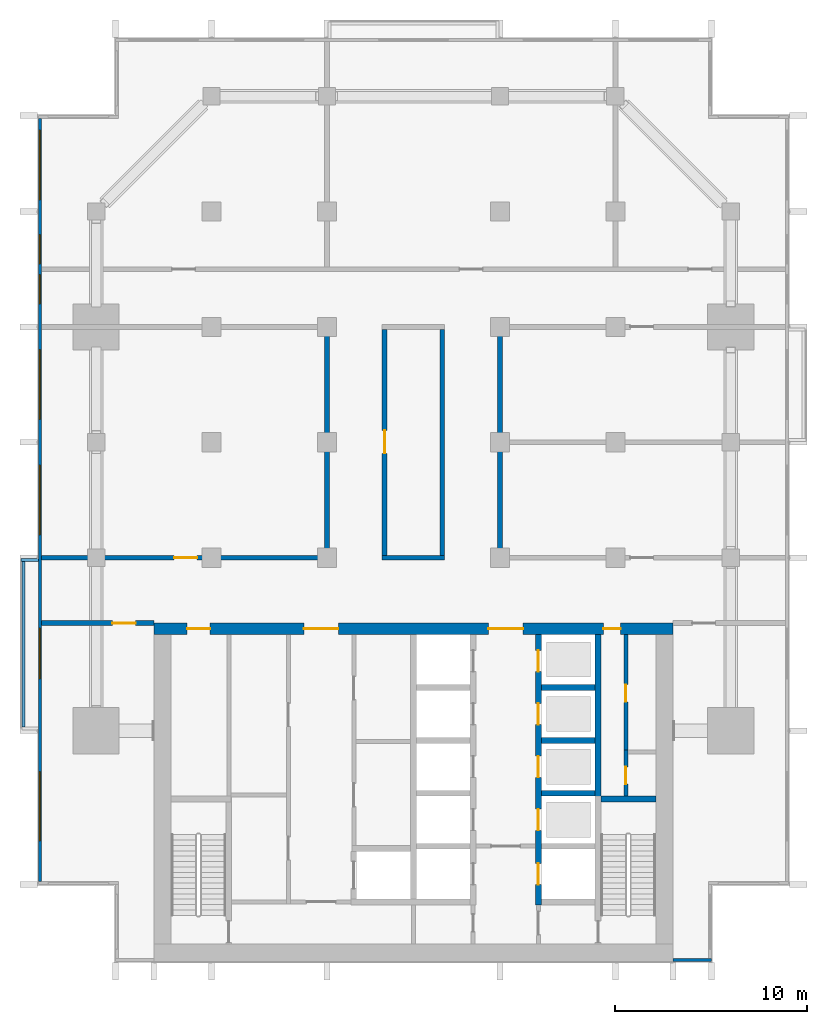
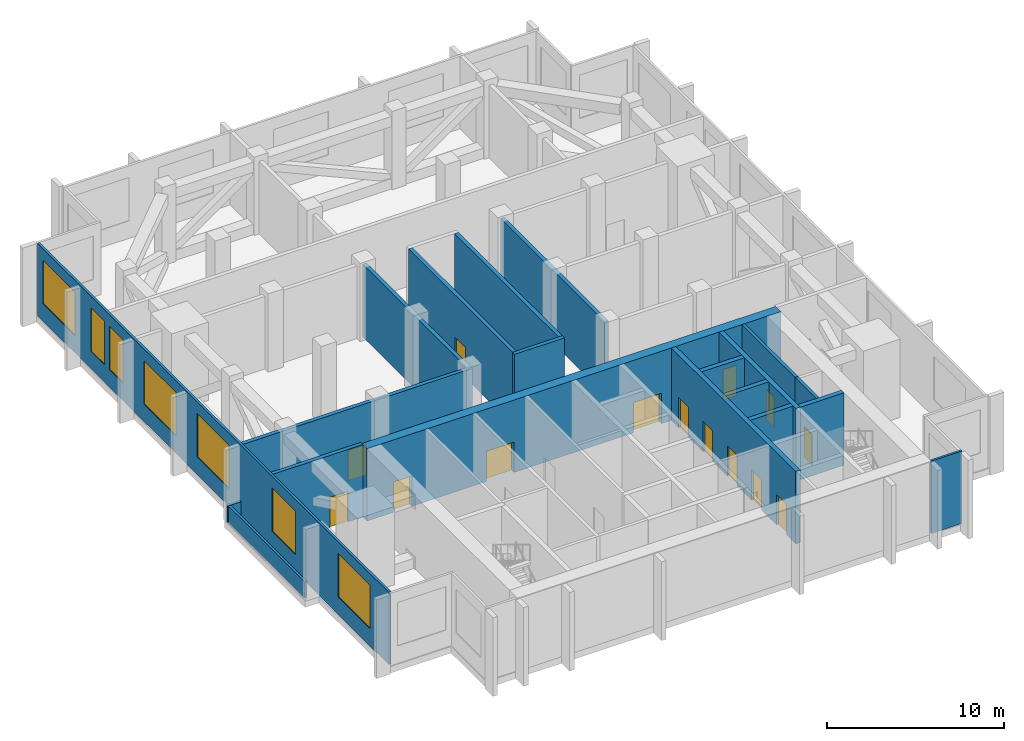
# One storey, part 3 of 11: 20 walls, 14 doors, 7 windows, 21 openings.
"""IFC4 building model written with IfcOpenShell, lengths in metres."""

from ifc_helpers import new_model, si_unit, direction, frame, frame_2d, origin, place, context, subcontext, project, spatial, rectangle, extrude, material, layer, layer_set, type_object, element, fill, save


model = new_model("IFC4")

# Units and contexts
model_context = context("Model", 3, precision=1e-05, world=origin(), true_north=direction((0.0, 1.0)))
body_context = subcontext(model_context, "Body", "Model", "MODEL_VIEW")
ifc_project = project(units=[si_unit("LENGTHUNIT", "METRE"), si_unit("AREAUNIT", "SQUARE_METRE"), si_unit("VOLUMEUNIT", "CUBIC_METRE"), si_unit("PLANEANGLEUNIT", "RADIAN"), si_unit("MASSUNIT", "GRAM", prefix="KILO")], contexts=[model_context])

# Site, building, storey
site_placement = place(None, origin())
site = spatial("IfcSite", under=ifc_project, at=site_placement, CompositionType="ELEMENT")
building_placement = place(site_placement, origin())
building = spatial("IfcBuilding", under=site, at=building_placement, Name="Finial Court Residences", CompositionType="ELEMENT")
storey_placement = place(building_placement, frame((0.0, 0.0, 199.699951171875)))
storey = spatial("IfcBuildingStorey", under=building, at=storey_placement, Name="L50", CompositionType="ELEMENT", Elevation=199.699951171875)

# Wall, openings, doors
ifc_material_1 = material(Name="Concrete C70/85", Category="concrete")
ifc_layer_1 = layer(ifc_material_1, 0.60009765625)
ifc_layer_set_1 = layer_set([ifc_layer_1], Name="Core outer wall 600 Concrete C70/85")
wall_type_1 = type_object("IfcWallType", Name="Core outer wall 600 Concrete C70/85", PredefinedType="SHEAR", material=ifc_layer_set_1)
wall_1_placement = place(storey_placement, frame((-13.5, -8.199951171875, 0.0), z_axis=(0.0, 0.0, 1.0), x_axis=(1.0, 0.0, 0.0)))
wall_1 = element("IfcWall", 1, at=wall_1_placement, inside=storey, type_object=wall_type_1, Name="Core outer wall L50-02", PredefinedType="SHEAR", context=body_context, shape_type="SweptSolid", body=[
    extrude(rectangle(XDim=27.0, YDim=0.60009765625, at=frame_2d((13.5, 0.0))), origin(), (0.0, 0.0, 1.0), 5.0),
])
opening_1_placement = place(wall_1_placement, frame((7.800048828125, 0.0, 0.0)))
opening_1 = element("IfcOpeningElement", 2, at=opening_1_placement, cuts=wall_1, Name="Opening L50-C04", PredefinedType="OPENING", context=body_context, shape_type="SweptSolid", body=[
    extrude(rectangle(XDim=1.800048828125, YDim=2.10009765625, at=frame_2d((0.89990234375, 1.050048828125))), frame((0.0, 0.31005859375, 0.0), z_axis=(0.0, -1.0, 0.0), x_axis=(1.0, 0.0, 0.0)), (0.0, 0.0, 1.0), 0.6201171875),
])
opening_2_placement = place(wall_1_placement, frame((17.39990234375, 0.0, 0.0)))
opening_2 = element("IfcOpeningElement", 3, at=opening_2_placement, cuts=wall_1, Name="Opening L50-C05", PredefinedType="OPENING", context=body_context, shape_type="SweptSolid", body=[
    extrude(rectangle(XDim=1.800048828125, YDim=2.10009765625, at=frame_2d((0.89990234375, 1.050048828125))), frame((0.0, 0.31005859375, 0.0), z_axis=(0.0, -1.0, 0.0), x_axis=(1.0, 0.0, 0.0)), (0.0, 0.0, 1.0), 0.6201171875),
])
opening_3_placement = place(wall_1_placement, frame((1.72509765625, 0.0, 0.0)))
opening_3 = element("IfcOpeningElement", 4, at=opening_3_placement, cuts=wall_1, Name="Opening L50-C12", PredefinedType="OPENING", context=body_context, shape_type="SweptSolid", body=[
    extrude(rectangle(XDim=1.199951171875, YDim=2.10009765625, at=frame_2d((0.60009765625, 1.050048828125))), frame((0.0, 0.31005859375, 0.0), z_axis=(0.0, -1.0, 0.0), x_axis=(1.0, 0.0, 0.0)), (0.0, 0.0, 1.0), 0.6201171875),
])
opening_4_placement = place(wall_1_placement, frame((23.375, 0.0, 0.0)))
opening_4 = element("IfcOpeningElement", 5, at=opening_4_placement, cuts=wall_1, Name="Opening L50-C13", PredefinedType="OPENING", context=body_context, shape_type="SweptSolid", body=[
    extrude(rectangle(XDim=0.89990234375, YDim=2.10009765625, at=frame_2d((0.449951171875, 1.050048828125))), frame((0.0, 0.31005859375, 0.0), z_axis=(0.0, -1.0, 0.0), x_axis=(1.0, 0.0, 0.0)), (0.0, 0.0, 1.0), 0.6201171875),
])
ifc_material_2 = material(Name="Steel fire door", Category="steel")
door_type_1 = type_object("IfcDoorType", Name="Lift lobby door 1800 x 2100 EI 60", OperationType="DOUBLE_DOOR_SINGLE_SWING", PredefinedType="DOOR", material=ifc_material_2)
door_1_placement = place(opening_1_placement, origin())
door_1 = element("IfcDoor", 6, at=door_1_placement, inside=storey, type_object=door_type_1, Name="Lift lobby door L50-C04", OperationType="DOUBLE_DOOR_SINGLE_SWING", OverallHeight=2.10009765625, OverallWidth=1.800048828125, PredefinedType="DOOR", context=body_context, shape_type="SweptSolid", body=[
    extrude(rectangle(XDim=1.800048828125, YDim=2.10009765625, at=frame_2d((0.89990234375, 1.050048828125))), frame((0.0, 0.02490234375, 0.0), z_axis=(0.0, -1.0, 0.0), x_axis=(1.0, 0.0, 0.0)), (0.0, 0.0, 1.0), 0.050048828125),
])
fill(opening_1, door_1)
door_2_placement = place(opening_2_placement, origin())
door_2 = element("IfcDoor", 7, at=door_2_placement, inside=storey, type_object=door_type_1, Name="Lift lobby door L50-C05", OperationType="DOUBLE_DOOR_SINGLE_SWING", OverallHeight=2.10009765625, OverallWidth=1.800048828125, PredefinedType="DOOR", context=body_context, shape_type="SweptSolid", body=[
    extrude(rectangle(XDim=1.800048828125, YDim=2.10009765625, at=frame_2d((0.89990234375, 1.050048828125))), frame((0.0, 0.02490234375, 0.0), z_axis=(0.0, -1.0, 0.0), x_axis=(1.0, 0.0, 0.0)), (0.0, 0.0, 1.0), 0.050048828125),
])
fill(opening_2, door_2)
door_type_2 = type_object("IfcDoorType", Name="Riser room door 1200 x 2100 EI 90", OperationType="NOTDEFINED", PredefinedType="DOOR", material=ifc_material_2)
door_3_placement = place(opening_3_placement, origin())
door_3 = element("IfcDoor", 8, at=door_3_placement, inside=storey, type_object=door_type_2, Name="Riser room door L50-C12", OperationType="SINGLE_SWING_LEFT", OverallHeight=2.10009765625, OverallWidth=1.199951171875, PredefinedType="DOOR", context=body_context, shape_type="SweptSolid", body=[
    extrude(rectangle(XDim=1.199951171875, YDim=2.10009765625, at=frame_2d((0.60009765625, 1.050048828125))), frame((0.0, 0.02490234375, 0.0), z_axis=(0.0, -1.0, 0.0), x_axis=(1.0, 0.0, 0.0)), (0.0, 0.0, 1.0), 0.050048828125),
])
fill(opening_3, door_3)
door_type_3 = type_object("IfcDoorType", Name="Riser room door 900 x 2100 EI 90", OperationType="NOTDEFINED", PredefinedType="DOOR", material=ifc_material_2)
door_4_placement = place(opening_4_placement, origin())
door_4 = element("IfcDoor", 9, at=door_4_placement, inside=storey, type_object=door_type_3, Name="Riser room door L50-C13", OperationType="SINGLE_SWING_LEFT", OverallHeight=2.10009765625, OverallWidth=0.89990234375, PredefinedType="DOOR", context=body_context, shape_type="SweptSolid", body=[
    extrude(rectangle(XDim=0.89990234375, YDim=2.10009765625, at=frame_2d((0.449951171875, 1.050048828125))), frame((0.0, 0.02490234375, 0.0), z_axis=(0.0, -1.0, 0.0), x_axis=(1.0, 0.0, 0.0)), (0.0, 0.0, 1.0), 0.050048828125),
])
fill(opening_4, door_4)

# Walls
ifc_material_3 = material(Name="Concrete C35/45", Category="concrete")
ifc_layer_2 = layer(ifc_material_3, 0.14990234375)
ifc_layer_set_2 = layer_set([ifc_layer_2], Name="Ledge parapet, Concrete C35/45 150")
wall_type_2 = type_object("IfcWallType", Name="Ledge parapet, Concrete C35/45 150", PredefinedType="PARAPET", material=ifc_layer_set_2)
wall_2_placement = place(storey_placement, frame((-20.39990234375, -4.625, 0.0), z_axis=(0.0, 0.0, 1.0), x_axis=(1.0, 0.0, 0.0)))
element("IfcWall", 10, at=wall_2_placement, inside=storey, type_object=wall_type_2, Name="E-L50-LED3-P1", PredefinedType="PARAPET", context=body_context, shape_type="SweptSolid", body=[
    extrude(rectangle(XDim=0.889892578125, YDim=0.14990234375, at=frame_2d((0.44482421875, 0.0))), origin(), (0.0, 0.0, 1.0), 1.150146484375),
])
wall_3_placement = place(storey_placement, frame((-20.27490234375, -13.300048828125, 0.0), z_axis=(0.0, 0.0, 1.0), x_axis=(0.0, 1.0, 0.0)))
element("IfcWall", 11, at=wall_3_placement, inside=storey, type_object=wall_type_2, Name="E-L50-LED3-P3", PredefinedType="PARAPET", context=body_context, shape_type="SweptSolid", body=[
    extrude(rectangle(XDim=8.800048828125, YDim=0.14990234375, at=frame_2d((4.39990234375, 0.0))), origin(), (0.0, 0.0, 1.0), 1.150146484375),
])
ifc_layer_3 = layer(ifc_material_1, 0.300048828125)
ifc_layer_set_3 = layer_set([ifc_layer_3], Name="Lift shaft and stair wall 300 Concrete C70/85")
wall_type_3 = type_object("IfcWallType", Name="Lift shaft and stair wall 300 Concrete C70/85", PredefinedType="SHEAR", material=ifc_layer_set_3)
wall_4_placement = place(storey_placement, frame((9.75, -17.050048828125, 0.0), z_axis=(0.0, 0.0, 1.0), x_axis=(1.0, 0.0, 0.0)))
element("IfcWall", 12, at=wall_4_placement, inside=storey, type_object=wall_type_3, Name="Core wall L50-10", PredefinedType="SHEAR", context=body_context, shape_type="SweptSolid", body=[
    extrude(rectangle(XDim=2.85009765625, YDim=0.300048828125, at=frame_2d((1.425048828125, 0.0))), origin(), (0.0, 0.0, 1.0), 5.0),
])
for number, where, z_axis, x_axis, name in (
    (13, (6.64990234375, -16.75, 0.0), (0.0, 0.0, 1.0), (1.0, 0.0, 0.0), "Core wall L50-13"),
    (14, (6.64990234375, -14.0, 0.0), (0.0, 0.0, 1.0), (1.0, 0.0, 0.0), "Core wall L50-17"),
    (15, (6.64990234375, -11.25, 0.0), (0.0, 0.0, 1.0), (1.0, 0.0, 0.0), "Core wall L50-19"),
):
    element("IfcWall", number, at=place(storey_placement, frame(where, z_axis=z_axis, x_axis=x_axis)), inside=storey, type_object=wall_type_3, Name=name, PredefinedType="SHEAR", context=body_context, shape_type="SweptSolid", body=[
        extrude(rectangle(XDim=2.800048828125, YDim=0.300048828125, at=frame_2d((1.39990234375, 0.0))), origin(), (0.0, 0.0, 1.0), 5.0),
    ])

# Wall, openings, doors
wall_5_placement = place(storey_placement, frame((6.5, -22.550048828125, 0.0), z_axis=(0.0, 0.0, 1.0), x_axis=(0.0, 1.0, 0.0)))
wall_5 = element("IfcWall", 16, at=wall_5_placement, inside=storey, type_object=wall_type_3, Name="Core wall L50-30", PredefinedType="SHEAR", context=body_context, shape_type="SweptSolid", body=[
    extrude(rectangle(XDim=14.050048828125, YDim=0.300048828125, at=frame_2d((7.02490234375, 0.0))), origin(), (0.0, 0.0, 1.0), 5.0),
])
opening_5_placement = place(wall_5_placement, frame((1.050048828125, 0.0, 0.0)))
opening_5 = element("IfcOpeningElement", 17, at=opening_5_placement, cuts=wall_5, Name="Opening L50-LD02", PredefinedType="OPENING", context=body_context, shape_type="SweptSolid", body=[
    extrude(rectangle(XDim=1.10009765625, YDim=2.10009765625, at=frame_2d((0.550048828125, 1.050048828125))), frame((0.0, 0.159912109375, 0.0), z_axis=(0.0, -1.0, 0.0), x_axis=(1.0, 0.0, 0.0)), (0.0, 0.0, 1.0), 0.320068359375),
])
opening_6_placement = place(wall_5_placement, frame((3.875, 0.0, 0.0)))
opening_6 = element("IfcOpeningElement", 18, at=opening_6_placement, cuts=wall_5, Name="Opening L50-LD07", PredefinedType="OPENING", context=body_context, shape_type="SweptSolid", body=[
    extrude(rectangle(XDim=1.10009765625, YDim=2.10009765625, at=frame_2d((0.550048828125, 1.050048828125))), frame((0.0, 0.159912109375, 0.0), z_axis=(0.0, -1.0, 0.0), x_axis=(1.0, 0.0, 0.0)), (0.0, 0.0, 1.0), 0.320068359375),
])
opening_7_placement = place(wall_5_placement, frame((6.625, 0.0, 0.0)))
opening_7 = element("IfcOpeningElement", 19, at=opening_7_placement, cuts=wall_5, Name="Opening L50-LD08", PredefinedType="OPENING", context=body_context, shape_type="SweptSolid", body=[
    extrude(rectangle(XDim=1.10009765625, YDim=2.10009765625, at=frame_2d((0.550048828125, 1.050048828125))), frame((0.0, 0.159912109375, 0.0), z_axis=(0.0, -1.0, 0.0), x_axis=(1.0, 0.0, 0.0)), (0.0, 0.0, 1.0), 0.320068359375),
])
opening_8_placement = place(wall_5_placement, frame((9.375, 0.0, 0.0)))
opening_8 = element("IfcOpeningElement", 20, at=opening_8_placement, cuts=wall_5, Name="Opening L50-LD09", PredefinedType="OPENING", context=body_context, shape_type="SweptSolid", body=[
    extrude(rectangle(XDim=1.10009765625, YDim=2.10009765625, at=frame_2d((0.550048828125, 1.050048828125))), frame((0.0, 0.159912109375, 0.0), z_axis=(0.0, -1.0, 0.0), x_axis=(1.0, 0.0, 0.0)), (0.0, 0.0, 1.0), 0.320068359375),
])
opening_9_placement = place(wall_5_placement, frame((12.125, 0.0, 0.0)))
opening_9 = element("IfcOpeningElement", 21, at=opening_9_placement, cuts=wall_5, Name="Opening L50-LD10", PredefinedType="OPENING", context=body_context, shape_type="SweptSolid", body=[
    extrude(rectangle(XDim=1.10009765625, YDim=2.10009765625, at=frame_2d((0.550048828125, 1.050048828125))), frame((0.0, 0.159912109375, 0.0), z_axis=(0.0, -1.0, 0.0), x_axis=(1.0, 0.0, 0.0)), (0.0, 0.0, 1.0), 0.320068359375),
])
ifc_material_4 = material(Name="Stainless steel lift door", Category="steel")
door_type_4 = type_object("IfcDoorType", Name="Lift landing door 1100 x 2100 EI 90", OperationType="DOUBLE_DOOR_SLIDING", PredefinedType="DOOR", material=ifc_material_4)
door_5_placement = place(opening_5_placement, origin())
door_5 = element("IfcDoor", 22, at=door_5_placement, inside=storey, type_object=door_type_4, Name="Lift landing door FF2 L50", OperationType="DOUBLE_DOOR_SLIDING", OverallHeight=2.10009765625, OverallWidth=1.10009765625, PredefinedType="DOOR", context=body_context, shape_type="SweptSolid", body=[
    extrude(rectangle(XDim=1.10009765625, YDim=2.10009765625, at=frame_2d((0.550048828125, 1.050048828125))), frame((0.0, 0.02490234375, 0.0), z_axis=(0.0, -1.0, 0.0), x_axis=(1.0, 0.0, 0.0)), (0.0, 0.0, 1.0), 0.050048828125),
])
fill(opening_5, door_5)
door_6_placement = place(opening_6_placement, origin())
door_6 = element("IfcDoor", 23, at=door_6_placement, inside=storey, type_object=door_type_4, Name="Lift landing door HR5 L50", OperationType="DOUBLE_DOOR_SLIDING", OverallHeight=2.10009765625, OverallWidth=1.10009765625, PredefinedType="DOOR", context=body_context, shape_type="SweptSolid", body=[
    extrude(rectangle(XDim=1.10009765625, YDim=2.10009765625, at=frame_2d((0.550048828125, 1.050048828125))), frame((0.0, 0.02490234375, 0.0), z_axis=(0.0, -1.0, 0.0), x_axis=(1.0, 0.0, 0.0)), (0.0, 0.0, 1.0), 0.050048828125),
])
fill(opening_6, door_6)
door_7_placement = place(opening_7_placement, origin())
door_7 = element("IfcDoor", 24, at=door_7_placement, inside=storey, type_object=door_type_4, Name="Lift landing door HR6 L50", OperationType="DOUBLE_DOOR_SLIDING", OverallHeight=2.10009765625, OverallWidth=1.10009765625, PredefinedType="DOOR", context=body_context, shape_type="SweptSolid", body=[
    extrude(rectangle(XDim=1.10009765625, YDim=2.10009765625, at=frame_2d((0.550048828125, 1.050048828125))), frame((0.0, 0.02490234375, 0.0), z_axis=(0.0, -1.0, 0.0), x_axis=(1.0, 0.0, 0.0)), (0.0, 0.0, 1.0), 0.050048828125),
])
fill(opening_7, door_7)
door_8_placement = place(opening_8_placement, origin())
door_8 = element("IfcDoor", 25, at=door_8_placement, inside=storey, type_object=door_type_4, Name="Lift landing door HR7 L50", OperationType="DOUBLE_DOOR_SLIDING", OverallHeight=2.10009765625, OverallWidth=1.10009765625, PredefinedType="DOOR", context=body_context, shape_type="SweptSolid", body=[
    extrude(rectangle(XDim=1.10009765625, YDim=2.10009765625, at=frame_2d((0.550048828125, 1.050048828125))), frame((0.0, 0.02490234375, 0.0), z_axis=(0.0, -1.0, 0.0), x_axis=(1.0, 0.0, 0.0)), (0.0, 0.0, 1.0), 0.050048828125),
])
fill(opening_8, door_8)
door_9_placement = place(opening_9_placement, origin())
door_9 = element("IfcDoor", 26, at=door_9_placement, inside=storey, type_object=door_type_4, Name="Lift landing door HR8 L50", OperationType="DOUBLE_DOOR_SLIDING", OverallHeight=2.10009765625, OverallWidth=1.10009765625, PredefinedType="DOOR", context=body_context, shape_type="SweptSolid", body=[
    extrude(rectangle(XDim=1.10009765625, YDim=2.10009765625, at=frame_2d((0.550048828125, 1.050048828125))), frame((0.0, 0.02490234375, 0.0), z_axis=(0.0, -1.0, 0.0), x_axis=(1.0, 0.0, 0.0)), (0.0, 0.0, 1.0), 0.050048828125),
])
fill(opening_9, door_9)

# Wall
wall_6_placement = place(storey_placement, frame((9.60009765625, -17.199951171875, 0.0), z_axis=(0.0, 0.0, 1.0), x_axis=(0.0, 1.0, 0.0)))
element("IfcWall", 27, at=wall_6_placement, inside=storey, type_object=wall_type_3, Name="Core wall L50-32", PredefinedType="SHEAR", context=body_context, shape_type="SweptSolid", body=[
    extrude(rectangle(XDim=8.699951171875, YDim=0.300048828125, at=frame_2d((4.35009765625, 0.0))), origin(), (0.0, 0.0, 1.0), 5.0),
])

# Wall, opening, door
ifc_material_5 = material(Name="Fire-rated board")
ifc_layer_4 = layer(ifc_material_5, 0.050048828125)
ifc_material_6 = material(Name="Mineral wool in double frame")
ifc_layer_5 = layer(ifc_material_6, 0.14990234375)
ifc_layer_6 = layer(ifc_material_5, 0.050048828125)
ifc_layer_set_4 = layer_set([ifc_layer_4, ifc_layer_5, ifc_layer_6], Name="Plant room wall 250, 2 hour")
wall_type_4 = type_object("IfcWallType", Name="Plant room wall 250, 2 hour", PredefinedType="PARTITIONING", material=ifc_layer_set_4)
wall_7_placement = place(storey_placement, frame((-19.35009765625, -7.89990234375, 0.0), z_axis=(0.0, 0.0, 1.0), x_axis=(1.0, 0.0, 0.0)))
wall_7 = element("IfcWall", 28, at=wall_7_placement, inside=storey, type_object=wall_type_4, Name="Partition L50-000", PredefinedType="PARTITIONING", context=body_context, shape_type="SweptSolid", body=[
    extrude(rectangle(XDim=5.85009765625, YDim=0.25, at=frame_2d((2.925048828125, 0.0))), origin(), (0.0, 0.0, 1.0), 5.0),
])
opening_10_placement = place(wall_7_placement, frame((3.699951171875, 0.0, 0.0)))
opening_10 = element("IfcOpeningElement", 29, at=opening_10_placement, cuts=wall_7, Name="Opening L50-D001", PredefinedType="OPENING", context=body_context, shape_type="SweptSolid", body=[
    extrude(rectangle(XDim=1.199951171875, YDim=2.10009765625, at=frame_2d((0.60009765625, 1.050048828125))), frame((0.0, 0.135009765625, 0.0), z_axis=(0.0, -1.0, 0.0), x_axis=(1.0, 0.0, 0.0)), (0.0, 0.0, 1.0), 0.27001953125),
])
ifc_material_7 = material(Name="Timber door leaf in hollow metal frame", Category="wood")
door_type_5 = type_object("IfcDoorType", Name="Fire door set 1200 x 2100, 60 minutes", OperationType="SINGLE_SWING_LEFT", PredefinedType="DOOR", material=ifc_material_7)
door_10_placement = place(opening_10_placement, origin())
door_10 = element("IfcDoor", 30, at=door_10_placement, inside=storey, type_object=door_type_5, Name="Door L50-D001", OperationType="SINGLE_SWING_RIGHT", OverallHeight=2.10009765625, OverallWidth=1.199951171875, PredefinedType="DOOR", context=body_context, shape_type="SweptSolid", body=[
    extrude(rectangle(XDim=1.199951171875, YDim=2.10009765625, at=frame_2d((0.60009765625, 1.050048828125))), frame((0.0, 0.02490234375, 0.0), z_axis=(0.0, -1.0, 0.0), x_axis=(1.0, 0.0, 0.0)), (0.0, 0.0, 1.0), 0.050048828125),
])
fill(opening_10, door_10)

wall_8_placement = place(storey_placement, frame((-19.35009765625, -4.5, 0.0), z_axis=(0.0, 0.0, 1.0), x_axis=(1.0, 0.0, 0.0)))
wall_8 = element("IfcWall", 31, at=wall_8_placement, inside=storey, type_object=wall_type_4, Name="Partition L50-002", PredefinedType="PARTITIONING", context=body_context, shape_type="SweptSolid", body=[
    extrude(rectangle(XDim=14.97509765625, YDim=0.25, at=frame_2d((7.487548828125, 0.0))), origin(), (0.0, 0.0, 1.0), 5.0),
])
opening_11_placement = place(wall_8_placement, frame((6.89990234375, 0.0, 0.0)))
opening_11 = element("IfcOpeningElement", 32, at=opening_11_placement, cuts=wall_8, Name="Opening L50-D003", PredefinedType="OPENING", context=body_context, shape_type="SweptSolid", body=[
    extrude(rectangle(XDim=1.199951171875, YDim=2.10009765625, at=frame_2d((0.60009765625, 1.050048828125))), frame((0.0, 0.135009765625, 0.0), z_axis=(0.0, -1.0, 0.0), x_axis=(1.0, 0.0, 0.0)), (0.0, 0.0, 1.0), 0.27001953125),
])
door_11_placement = place(opening_11_placement, origin())
door_11 = element("IfcDoor", 33, at=door_11_placement, inside=storey, type_object=door_type_5, Name="Door L50-D003", OperationType="SINGLE_SWING_LEFT", OverallHeight=2.10009765625, OverallWidth=1.199951171875, PredefinedType="DOOR", context=body_context, shape_type="SweptSolid", body=[
    extrude(rectangle(XDim=1.199951171875, YDim=2.10009765625, at=frame_2d((0.60009765625, 1.050048828125))), frame((0.0, 0.02490234375, 0.0), z_axis=(0.0, -1.0, 0.0), x_axis=(1.0, 0.0, 0.0)), (0.0, 0.0, 1.0), 0.050048828125),
])
fill(opening_11, door_11)

# Walls
wall_9_placement = place(storey_placement, frame((-1.625, -4.5, 0.0), z_axis=(0.0, 0.0, 1.0), x_axis=(1.0, 0.0, 0.0)))
element("IfcWall", 34, at=wall_9_placement, inside=storey, type_object=wall_type_4, Name="Partition L50-003", PredefinedType="PARTITIONING", context=body_context, shape_type="SweptSolid", body=[
    extrude(rectangle(XDim=3.25, YDim=0.25, at=frame_2d((1.625, 0.0))), origin(), (0.0, 0.0, 1.0), 5.0),
])
wall_10_placement = place(storey_placement, frame((-4.5, -4.375, 0.0), z_axis=(0.0, 0.0, 1.0), x_axis=(0.0, 1.0, 0.0)))
element("IfcWall", 35, at=wall_10_placement, inside=storey, type_object=wall_type_4, Name="Partition L50-010", PredefinedType="PARTITIONING", context=body_context, shape_type="SweptSolid", body=[
    extrude(rectangle(XDim=11.75, YDim=0.25, at=frame_2d((5.875, 0.0))), origin(), (0.0, 0.0, 1.0), 5.0),
])

# Wall, opening, door
wall_11_placement = place(storey_placement, frame((-1.5, -4.375, 0.0), z_axis=(0.0, 0.0, 1.0), x_axis=(0.0, 1.0, 0.0)))
wall_11 = element("IfcWall", 36, at=wall_11_placement, inside=storey, type_object=wall_type_4, Name="Partition L50-012", PredefinedType="PARTITIONING", context=body_context, shape_type="SweptSolid", body=[
    extrude(rectangle(XDim=11.75, YDim=0.25, at=frame_2d((5.875, 0.0))), origin(), (0.0, 0.0, 1.0), 5.0),
])
opening_12_placement = place(wall_11_placement, frame((5.300048828125, 0.0, 0.0)))
opening_12 = element("IfcOpeningElement", 37, at=opening_12_placement, cuts=wall_11, Name="Opening L50-D009", PredefinedType="OPENING", context=body_context, shape_type="SweptSolid", body=[
    extrude(rectangle(XDim=1.199951171875, YDim=2.10009765625, at=frame_2d((0.60009765625, 1.050048828125))), frame((0.0, 0.135009765625, 0.0), z_axis=(0.0, -1.0, 0.0), x_axis=(1.0, 0.0, 0.0)), (0.0, 0.0, 1.0), 0.27001953125),
])
door_12_placement = place(opening_12_placement, origin())
door_12 = element("IfcDoor", 38, at=door_12_placement, inside=storey, type_object=door_type_5, Name="Door L50-D009", OperationType="SINGLE_SWING_RIGHT", OverallHeight=2.10009765625, OverallWidth=1.199951171875, PredefinedType="DOOR", context=body_context, shape_type="SweptSolid", body=[
    extrude(rectangle(XDim=1.199951171875, YDim=2.10009765625, at=frame_2d((0.60009765625, 1.050048828125))), frame((0.0, 0.02490234375, 0.0), z_axis=(0.0, -1.0, 0.0), x_axis=(1.0, 0.0, 0.0)), (0.0, 0.0, 1.0), 0.050048828125),
])
fill(opening_12, door_12)

# Walls
for number, where, z_axis, x_axis, name in (
    (39, (1.5, -4.375, 0.0), (0.0, 0.0, 1.0), (0.0, 1.0, 0.0), "Partition L50-013"),
    (40, (4.5, -4.375, 0.0), (0.0, 0.0, 1.0), (0.0, 1.0, 0.0), "Partition L50-014"),
):
    element("IfcWall", number, at=place(storey_placement, frame(where, z_axis=z_axis, x_axis=x_axis)), inside=storey, type_object=wall_type_4, Name=name, PredefinedType="PARTITIONING", context=body_context, shape_type="SweptSolid", body=[
        extrude(rectangle(XDim=11.75, YDim=0.25, at=frame_2d((5.875, 0.0))), origin(), (0.0, 0.0, 1.0), 5.0),
    ])
ifc_material_8 = material(Name="Natural limestone", Category="masonry")
ifc_layer_7 = layer(ifc_material_8, 0.14990234375)
ifc_layer_set_5 = layer_set([ifc_layer_7], Name="Plant storey wall, limestone clad 150")
wall_type_5 = type_object("IfcWallType", Name="Plant storey wall, limestone clad 150", PredefinedType="SOLIDWALL", material=ifc_layer_set_5)
wall_12_placement = place(storey_placement, frame((15.5, -25.425048828125, 0.0), z_axis=(0.0, 0.0, 1.0), x_axis=(-1.0, 0.0, 0.0)))
element("IfcWall", 41, at=wall_12_placement, inside=storey, type_object=wall_type_5, Name="E-L50-PWS4", PredefinedType="SOLIDWALL", context=body_context, shape_type="SweptSolid", body=[
    extrude(rectangle(XDim=2.0, YDim=0.14990234375, at=frame_2d((1.0, 0.0))), origin(), (0.0, 0.0, 1.0), 5.0),
])

# Wall, openings, windows
wall_13_placement = place(storey_placement, frame((-19.425048828125, -21.35009765625, 0.0), z_axis=(0.0, 0.0, 1.0), x_axis=(0.0, 1.0, 0.0)))
wall_13 = element("IfcWall", 42, at=wall_13_placement, inside=storey, type_object=wall_type_5, Name="E-L50-PWW5", PredefinedType="SOLIDWALL", context=body_context, shape_type="SweptSolid", body=[
    extrude(rectangle(XDim=39.7001953125, YDim=0.14990234375, at=frame_2d((19.85009765625, 0.0))), origin(), (0.0, 0.0, 1.0), 5.0),
])
opening_13_placement = place(wall_13_placement, frame((2.125, 0.0, 1.199951171875)))
opening_13 = element("IfcOpeningElement", 43, at=opening_13_placement, cuts=wall_13, Name="Opening WE50-13", PredefinedType="OPENING", context=body_context, shape_type="SweptSolid", body=[
    extrude(rectangle(XDim=3.60009765625, YDim=3.0, at=frame_2d((1.800048828125, 1.5))), frame((0.0, 0.0849609375, 0.0), z_axis=(0.0, -1.0, 0.0), x_axis=(1.0, 0.0, 0.0)), (0.0, 0.0, 1.0), 0.169921875),
])
opening_14_placement = place(wall_13_placement, frame((10.550048828125, 0.0, 1.199951171875)))
opening_14 = element("IfcOpeningElement", 44, at=opening_14_placement, cuts=wall_13, Name="Opening WE50-14", PredefinedType="OPENING", context=body_context, shape_type="SweptSolid", body=[
    extrude(rectangle(XDim=2.625, YDim=3.0, at=frame_2d((1.3125, 1.5))), frame((0.0, 0.0849609375, 0.0), z_axis=(0.0, -1.0, 0.0), x_axis=(1.0, 0.0, 0.0)), (0.0, 0.0, 1.0), 0.169921875),
])
opening_15_placement = place(wall_13_placement, frame((18.050048828125, 0.0, 1.199951171875)))
opening_15 = element("IfcOpeningElement", 45, at=opening_15_placement, cuts=wall_13, Name="Opening WE50-15", PredefinedType="OPENING", context=body_context, shape_type="SweptSolid", body=[
    extrude(rectangle(XDim=3.60009765625, YDim=3.0, at=frame_2d((1.800048828125, 1.5))), frame((0.0, 0.0849609375, 0.0), z_axis=(0.0, -1.0, 0.0), x_axis=(1.0, 0.0, 0.0)), (0.0, 0.0, 1.0), 0.169921875),
])
opening_16_placement = place(wall_13_placement, frame((24.050048828125, 0.0, 1.199951171875)))
opening_16 = element("IfcOpeningElement", 46, at=opening_16_placement, cuts=wall_13, Name="Opening WE50-16", PredefinedType="OPENING", context=body_context, shape_type="SweptSolid", body=[
    extrude(rectangle(XDim=3.60009765625, YDim=3.0, at=frame_2d((1.800048828125, 1.5))), frame((0.0, 0.0849609375, 0.0), z_axis=(0.0, -1.0, 0.0), x_axis=(1.0, 0.0, 0.0)), (0.0, 0.0, 1.0), 0.169921875),
])
opening_17_placement = place(wall_13_placement, frame((30.050048828125, 0.0, 1.199951171875)))
opening_17 = element("IfcOpeningElement", 47, at=opening_17_placement, cuts=wall_13, Name="Opening WE50-17", PredefinedType="OPENING", context=body_context, shape_type="SweptSolid", body=[
    extrude(rectangle(XDim=1.52490234375, YDim=3.0, at=frame_2d((0.762451171875, 1.5))), frame((0.0, 0.0849609375, 0.0), z_axis=(0.0, -1.0, 0.0), x_axis=(1.0, 0.0, 0.0)), (0.0, 0.0, 1.0), 0.169921875),
])
opening_18_placement = place(wall_13_placement, frame((32.125, 0.0, 1.199951171875)))
opening_18 = element("IfcOpeningElement", 48, at=opening_18_placement, cuts=wall_13, Name="Opening WE50-18", PredefinedType="OPENING", context=body_context, shape_type="SweptSolid", body=[
    extrude(rectangle(XDim=1.52490234375, YDim=3.0, at=frame_2d((0.762451171875, 1.5))), frame((0.0, 0.0849609375, 0.0), z_axis=(0.0, -1.0, 0.0), x_axis=(1.0, 0.0, 0.0)), (0.0, 0.0, 1.0), 0.169921875),
])
opening_19_placement = place(wall_13_placement, frame((35.47509765625, 0.0, 1.199951171875)))
opening_19 = element("IfcOpeningElement", 49, at=opening_19_placement, cuts=wall_13, Name="Opening WE50-19", PredefinedType="OPENING", context=body_context, shape_type="SweptSolid", body=[
    extrude(rectangle(XDim=3.60009765625, YDim=3.0, at=frame_2d((1.800048828125, 1.5))), frame((0.0, 0.0849609375, 0.0), z_axis=(0.0, -1.0, 0.0), x_axis=(1.0, 0.0, 0.0)), (0.0, 0.0, 1.0), 0.169921875),
])
ifc_material_9 = material(Name="Bronze anodised aluminium", Category="aluminium")
window_type_1 = type_object("IfcWindowType", Name="Plant louvre 1525 x 3000", PartitioningType="SINGLE_PANEL", PredefinedType="WINDOW", material=ifc_material_9)
window_1_placement = place(opening_17_placement, origin())
window_1 = element("IfcWindow", 50, at=window_1_placement, inside=storey, type_object=window_type_1, Name="E-L50-PWW5-W5", OverallHeight=3.0, OverallWidth=1.52490234375, PartitioningType="SINGLE_PANEL", PredefinedType="WINDOW", context=body_context, shape_type="SweptSolid", body=[
    extrude(rectangle(XDim=1.52490234375, YDim=3.0, at=frame_2d((0.762451171875, 1.5))), frame((0.0, 0.030029296875, 0.0), z_axis=(0.0, -1.0, 0.0), x_axis=(1.0, 0.0, 0.0)), (0.0, 0.0, 1.0), 0.06005859375),
])
fill(opening_17, window_1)
window_2_placement = place(opening_18_placement, origin())
window_2 = element("IfcWindow", 51, at=window_2_placement, inside=storey, type_object=window_type_1, Name="E-L50-PWW5-W6", OverallHeight=3.0, OverallWidth=1.52490234375, PartitioningType="SINGLE_PANEL", PredefinedType="WINDOW", context=body_context, shape_type="SweptSolid", body=[
    extrude(rectangle(XDim=1.52490234375, YDim=3.0, at=frame_2d((0.762451171875, 1.5))), frame((0.0, 0.030029296875, 0.0), z_axis=(0.0, -1.0, 0.0), x_axis=(1.0, 0.0, 0.0)), (0.0, 0.0, 1.0), 0.06005859375),
])
fill(opening_18, window_2)
window_type_2 = type_object("IfcWindowType", Name="Plant louvre 2625 x 3000", PartitioningType="SINGLE_PANEL", PredefinedType="WINDOW", material=ifc_material_9)
window_3_placement = place(opening_14_placement, origin())
window_3 = element("IfcWindow", 52, at=window_3_placement, inside=storey, type_object=window_type_2, Name="E-L50-PWW5-W2", OverallHeight=3.0, OverallWidth=2.625, PartitioningType="SINGLE_PANEL", PredefinedType="WINDOW", context=body_context, shape_type="SweptSolid", body=[
    extrude(rectangle(XDim=2.625, YDim=3.0, at=frame_2d((1.3125, 1.5))), frame((0.0, 0.030029296875, 0.0), z_axis=(0.0, -1.0, 0.0), x_axis=(1.0, 0.0, 0.0)), (0.0, 0.0, 1.0), 0.06005859375),
])
fill(opening_14, window_3)
window_type_3 = type_object("IfcWindowType", Name="Plant louvre 3600 x 3000", PartitioningType="SINGLE_PANEL", PredefinedType="WINDOW", material=ifc_material_9)
window_4_placement = place(opening_13_placement, origin())
window_4 = element("IfcWindow", 53, at=window_4_placement, inside=storey, type_object=window_type_3, Name="E-L50-PWW5-W1", OverallHeight=3.0, OverallWidth=3.60009765625, PartitioningType="SINGLE_PANEL", PredefinedType="WINDOW", context=body_context, shape_type="SweptSolid", body=[
    extrude(rectangle(XDim=3.60009765625, YDim=3.0, at=frame_2d((1.800048828125, 1.5))), frame((0.0, 0.030029296875, 0.0), z_axis=(0.0, -1.0, 0.0), x_axis=(1.0, 0.0, 0.0)), (0.0, 0.0, 1.0), 0.06005859375),
])
fill(opening_13, window_4)
window_5_placement = place(opening_15_placement, origin())
window_5 = element("IfcWindow", 54, at=window_5_placement, inside=storey, type_object=window_type_3, Name="E-L50-PWW5-W3", OverallHeight=3.0, OverallWidth=3.60009765625, PartitioningType="SINGLE_PANEL", PredefinedType="WINDOW", context=body_context, shape_type="SweptSolid", body=[
    extrude(rectangle(XDim=3.60009765625, YDim=3.0, at=frame_2d((1.800048828125, 1.5))), frame((0.0, 0.030029296875, 0.0), z_axis=(0.0, -1.0, 0.0), x_axis=(1.0, 0.0, 0.0)), (0.0, 0.0, 1.0), 0.06005859375),
])
fill(opening_15, window_5)
window_6_placement = place(opening_16_placement, origin())
window_6 = element("IfcWindow", 55, at=window_6_placement, inside=storey, type_object=window_type_3, Name="E-L50-PWW5-W4", OverallHeight=3.0, OverallWidth=3.60009765625, PartitioningType="SINGLE_PANEL", PredefinedType="WINDOW", context=body_context, shape_type="SweptSolid", body=[
    extrude(rectangle(XDim=3.60009765625, YDim=3.0, at=frame_2d((1.800048828125, 1.5))), frame((0.0, 0.030029296875, 0.0), z_axis=(0.0, -1.0, 0.0), x_axis=(1.0, 0.0, 0.0)), (0.0, 0.0, 1.0), 0.06005859375),
])
fill(opening_16, window_6)
window_7_placement = place(opening_19_placement, origin())
window_7 = element("IfcWindow", 56, at=window_7_placement, inside=storey, type_object=window_type_3, Name="E-L50-PWW5-W7", OverallHeight=3.0, OverallWidth=3.60009765625, PartitioningType="SINGLE_PANEL", PredefinedType="WINDOW", context=body_context, shape_type="SweptSolid", body=[
    extrude(rectangle(XDim=3.60009765625, YDim=3.0, at=frame_2d((1.800048828125, 1.5))), frame((0.0, 0.030029296875, 0.0), z_axis=(0.0, -1.0, 0.0), x_axis=(1.0, 0.0, 0.0)), (0.0, 0.0, 1.0), 0.06005859375),
])
fill(opening_19, window_7)

# Wall, opening, door
ifc_material_10 = material(Name="Fire-rated gypsum board partition")
ifc_layer_8 = layer(ifc_material_10, 0.199951171875)
ifc_layer_set_6 = layer_set([ifc_layer_8], Name="Riser room wall 200 EI 120")
wall_type_6 = type_object("IfcWallType", Name="Riser room wall 200 EI 120", PredefinedType="PARTITIONING", material=ifc_layer_set_6)
wall_14_placement = place(storey_placement, frame((11.050048828125, -8.5, 0.0), z_axis=(0.0, 0.0, 1.0), x_axis=(0.0, -1.0, 0.0)))
wall_14 = element("IfcWall", 57, at=wall_14_placement, inside=storey, type_object=wall_type_6, Name="Core partition L50-34", PredefinedType="PARTITIONING", context=body_context, shape_type="SweptSolid", body=[
    extrude(rectangle(XDim=6.199951171875, YDim=0.199951171875, at=frame_2d((3.10009765625, 0.0))), origin(), (0.0, 0.0, 1.0), 5.0),
])
opening_20_placement = place(wall_14_placement, frame((2.60009765625, 0.0, 0.0)))
opening_20 = element("IfcOpeningElement", 58, at=opening_20_placement, cuts=wall_14, Name="Opening L50-C07", PredefinedType="OPENING", context=body_context, shape_type="SweptSolid", body=[
    extrude(rectangle(XDim=0.89990234375, YDim=2.10009765625, at=frame_2d((0.449951171875, 1.050048828125))), frame((0.0, 0.10986328125, 0.0), z_axis=(0.0, -1.0, 0.0), x_axis=(1.0, 0.0, 0.0)), (0.0, 0.0, 1.0), 0.219970703125),
])
door_13_placement = place(opening_20_placement, origin())
door_13 = element("IfcDoor", 59, at=door_13_placement, inside=storey, type_object=door_type_3, Name="Riser room door L50-C07", OperationType="SINGLE_SWING_RIGHT", OverallHeight=2.10009765625, OverallWidth=0.89990234375, PredefinedType="DOOR", context=body_context, shape_type="SweptSolid", body=[
    extrude(rectangle(XDim=0.89990234375, YDim=2.10009765625, at=frame_2d((0.449951171875, 1.050048828125))), frame((0.0, 0.02490234375, 0.0), z_axis=(0.0, -1.0, 0.0), x_axis=(1.0, 0.0, 0.0)), (0.0, 0.0, 1.0), 0.050048828125),
])
fill(opening_20, door_13)

ifc_layer_9 = layer(ifc_material_10, 0.199951171875)
ifc_layer_set_7 = layer_set([ifc_layer_9], Name="Stair passage wall 200 EI 180")
wall_type_7 = type_object("IfcWallType", Name="Stair passage wall 200 EI 180", PredefinedType="PARTITIONING", material=ifc_layer_set_7)
wall_15_placement = place(storey_placement, frame((11.050048828125, -14.5, 0.0), z_axis=(0.0, 0.0, 1.0), x_axis=(0.0, -1.0, 0.0)))
wall_15 = element("IfcWall", 60, at=wall_15_placement, inside=storey, type_object=wall_type_7, Name="Core partition L50-33", PredefinedType="PARTITIONING", context=body_context, shape_type="SweptSolid", body=[
    extrude(rectangle(XDim=2.39990234375, YDim=0.199951171875, at=frame_2d((1.199951171875, 0.0))), origin(), (0.0, 0.0, 1.0), 5.0),
])
opening_21_placement = place(wall_15_placement, frame((0.875, 0.0, 0.0)))
opening_21 = element("IfcOpeningElement", 61, at=opening_21_placement, cuts=wall_15, Name="Opening L50-C14", PredefinedType="OPENING", context=body_context, shape_type="SweptSolid", body=[
    extrude(rectangle(XDim=0.89990234375, YDim=2.10009765625, at=frame_2d((0.449951171875, 1.050048828125))), frame((0.0, 0.10986328125, 0.0), z_axis=(0.0, -1.0, 0.0), x_axis=(1.0, 0.0, 0.0)), (0.0, 0.0, 1.0), 0.219970703125),
])
door_type_6 = type_object("IfcDoorType", Name="Core room door 900 x 2100 EI 60", OperationType="NOTDEFINED", PredefinedType="DOOR", material=ifc_material_2)
door_14_placement = place(opening_21_placement, origin())
door_14 = element("IfcDoor", 62, at=door_14_placement, inside=storey, type_object=door_type_6, Name="Core room door L50-C14", OperationType="SINGLE_SWING_LEFT", OverallHeight=2.10009765625, OverallWidth=0.89990234375, PredefinedType="DOOR", context=body_context, shape_type="SweptSolid", body=[
    extrude(rectangle(XDim=0.89990234375, YDim=2.10009765625, at=frame_2d((0.449951171875, 1.050048828125))), frame((0.0, 0.02490234375, 0.0), z_axis=(0.0, -1.0, 0.0), x_axis=(1.0, 0.0, 0.0)), (0.0, 0.0, 1.0), 0.050048828125),
])
fill(opening_21, door_14)

save(model, "model.ifc")
